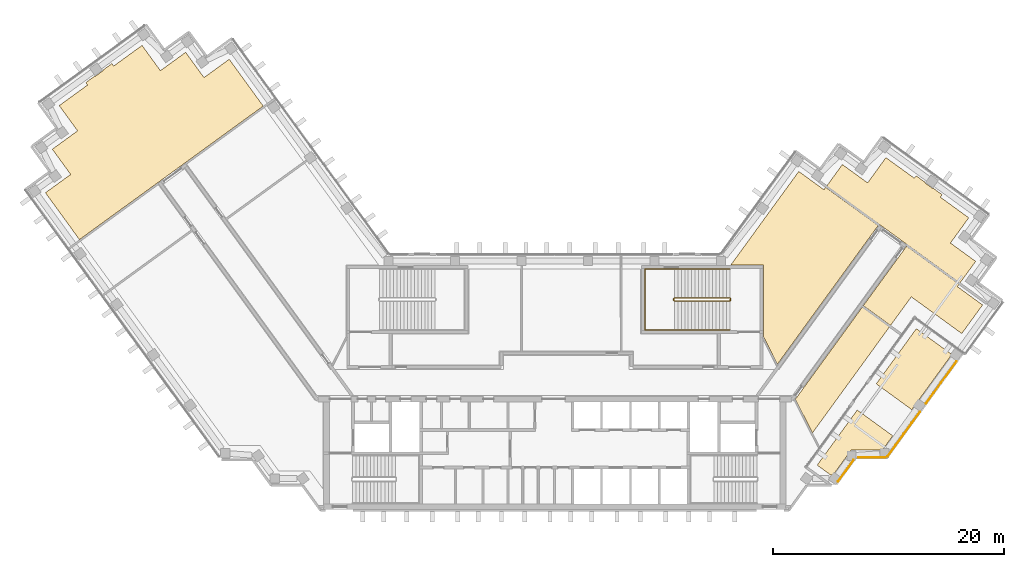
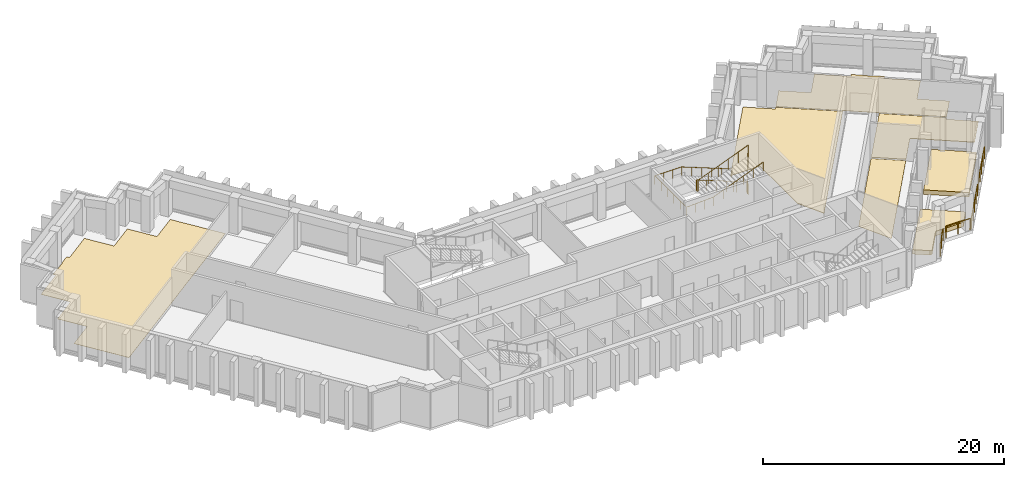
# One storey, part 10 of 10: 7 coverings, 6 railings.
"""IFC4 building model written with IfcOpenShell, lengths in metres."""

import ifcopenshell
import ifcopenshell.guid

model = None  # the IFC model being written
_history = None  # IfcOwnerHistory: only IFC2X3 demands one
_inside = {}  # id of a spatial element -> (the spatial element, [elements in it])
_under = {}  # id of a project, library or spatial element -> (it, [spatial elements below it])
_declared = {}  # id of a project -> (the project, [libraries it declares])
_typed = {}  # id of a type object -> (the type object, [elements of that type])
_made_of = {}  # id of a material, layer set ... -> (it, [elements and type objects made of it])


def new_model(schema):
    """Start an empty IFC model of exactly this schema.

    Asked for "IFC4X3", IfcOpenShell would pick the latest addendum, in which some entities
    have other attributes; the version numbers below select the first issue.
    IFC2X3 requires an IfcOwnerHistory on every rooted entity: one is made here for all.
    """
    global model, _history
    if schema == "IFC4X3":
        model = ifcopenshell.file(schema_version=(4, 3, 0, 0))
    else:
        model = ifcopenshell.file(schema=schema)
    _inside.clear()
    _under.clear()
    _declared.clear()
    _typed.clear()
    _made_of.clear()
    _history = None
    if model.schema == "IFC2X3":
        org = make("IfcOrganization", Name="unknown")
        user = make(
            "IfcPersonAndOrganization",
            ThePerson=make("IfcPerson", FamilyName="unknown"),
            TheOrganization=org,
        )
        app = make(
            "IfcApplication",
            ApplicationDeveloper=org,
            Version="unknown",
            ApplicationFullName="unknown",
            ApplicationIdentifier="unknown",
        )
        _history = make(
            "IfcOwnerHistory",
            OwningUser=user,
            OwningApplication=app,
            ChangeAction="ADDED",
            CreationDate=0,
        )
    return model


def make(cls, **values):
    """One entity of the class cls with the attributes given. An attribute that is None is left unset."""
    return model.create_entity(
        cls, **{name: value for name, value in values.items() if value is not None}
    )


def rooted(cls, **values):
    """An entity with a GlobalId (a new one), such as an element, a storey or a relation."""
    return make(cls, GlobalId=ifcopenshell.guid.new(), OwnerHistory=_history, **values)


def si_unit(unit_type, name, prefix=None):
    """IfcSIUnit, for example si_unit("LENGTHUNIT", "METRE", prefix="MILLI")."""
    return make("IfcSIUnit", UnitType=unit_type, Prefix=prefix, Name=name)


def assignment(units):
    """IfcUnitAssignment: the units of a project."""
    return None if units is None else make("IfcUnitAssignment", Units=units)


def point(xyz):
    """IfcCartesianPoint."""
    return None if xyz is None else make("IfcCartesianPoint", Coordinates=xyz)


def direction(xyz):
    """IfcDirection."""
    return None if xyz is None else make("IfcDirection", DirectionRatios=xyz)


def frame(location, z_axis=None, x_axis=None):
    """IfcAxis2Placement3D, a coordinate frame: its origin and axes. An axis left out is left unset."""
    return make(
        "IfcAxis2Placement3D",
        Location=point(location),
        Axis=direction(z_axis),
        RefDirection=direction(x_axis),
    )


def frame_2d(location, x_axis=None):
    """IfcAxis2Placement2D, a coordinate frame in the plane: its origin and x axis."""
    return make(
        "IfcAxis2Placement2D", Location=point(location), RefDirection=direction(x_axis)
    )


def origin():
    """The frame at (0, 0, 0) with its axes left unset."""
    return frame((0.0, 0.0, 0.0))


def origin_2d():
    """The frame at (0, 0) in the plane with its x axis left unset."""
    return frame_2d((0.0, 0.0))


def place(relative_to, where):
    """IfcLocalPlacement: puts the frame where relative to a parent placement (None: the world)."""
    return make(
        "IfcLocalPlacement", PlacementRelTo=relative_to, RelativePlacement=where
    )


def context(
    kind, dimensions, precision=None, world=None, true_north=None, identifier=None
):
    """IfcGeometricRepresentationContext, for example the 3D "Model" context."""
    return make(
        "IfcGeometricRepresentationContext",
        ContextIdentifier=identifier,
        ContextType=kind,
        CoordinateSpaceDimension=dimensions,
        Precision=precision,
        WorldCoordinateSystem=world,
        TrueNorth=true_north,
    )


def subcontext(parent, identifier, kind, view, scale=None):
    """IfcGeometricRepresentationSubContext, for example "Body" below "Model"."""
    return make(
        "IfcGeometricRepresentationSubContext",
        ContextIdentifier=identifier,
        ContextType=kind,
        ParentContext=parent,
        TargetScale=scale,
        TargetView=view,
    )


def project(units=None, contexts=None):
    """IfcProject with its units and contexts."""
    return rooted(
        "IfcProject",
        Name="project",
        RepresentationContexts=contexts,
        UnitsInContext=assignment(units),
    )


def spatial(cls, under=None, at=None, **own):
    """A site, building, storey or space (cls), placed at a placement, below another one or the project."""
    s = rooted(cls, ObjectPlacement=at, **own)
    if under is not None:
        _under.setdefault(under.id(), (under, []))[1].append(s)
    return s


def polyline(points):
    """IfcPolyline through the points."""
    return make("IfcPolyline", Points=[point(p) for p in points])


def profile(cls, at=None, kind="AREA", **sizes):
    """A parametric profile (cls). Its sizes go by their IFC names, for example OverallWidth=200.0."""
    return make(cls, ProfileType=kind, Position=at, **sizes)


def circle(**sizes):
    """IfcCircleProfileDef."""
    return profile("IfcCircleProfileDef", **sizes)


def outline(outer, holes=None, kind="AREA"):
    """IfcArbitraryClosedProfileDef: a profile drawn as a closed curve; with holes, ...WithVoids."""
    if holes is None:
        return make("IfcArbitraryClosedProfileDef", ProfileType=kind, OuterCurve=outer)
    return make(
        "IfcArbitraryProfileDefWithVoids",
        ProfileType=kind,
        OuterCurve=outer,
        InnerCurves=holes,
    )


def extrude(swept, where, along, depth):
    """IfcExtrudedAreaSolid: the profile swept, set in the frame where, extruded along a direction by depth."""
    return make(
        "IfcExtrudedAreaSolid",
        SweptArea=swept,
        Position=where,
        ExtrudedDirection=direction(along),
        Depth=depth,
    )


def shape(context_of_items, identifier, shape_type, items):
    """IfcShapeRepresentation: the items that make up one representation, for example the "Body"."""
    return make(
        "IfcShapeRepresentation",
        ContextOfItems=context_of_items,
        RepresentationIdentifier=identifier,
        RepresentationType=shape_type,
        Items=items,
    )


def material(Name=None, Category=None):
    """IfcMaterial."""
    return make("IfcMaterial", Name=Name, Category=Category)


def layer(
    of_material, thickness, ventilated=None, Name=None, Category=None, Priority=None
):
    """IfcMaterialLayer: one layer of a wall or slab, of a material (None: an air gap)."""
    return make(
        "IfcMaterialLayer",
        Material=of_material,
        LayerThickness=thickness,
        IsVentilated=ventilated,
        Name=Name,
        Category=Category,
        Priority=Priority,
    )


def layer_set(layers, Name=None):
    """IfcMaterialLayerSet."""
    return make("IfcMaterialLayerSet", MaterialLayers=layers, LayerSetName=Name)


def made_of(thing, what):
    """Note that an element or type object is made of a material, layer set ...; save() writes the relation."""
    if what is not None:
        _made_of.setdefault(what.id(), (what, []))[1].append(thing)
    return thing


def type_object(cls, material=None, **own):
    """A type object (cls), such as IfcWallType, which elements share."""
    return made_of(rooted(cls, **own), material)


def element(
    cls,
    number,
    at=None,
    inside=None,
    cuts=None,
    type_object=None,
    material=None,
    context=None,
    identifier="Body",
    shape_type=None,
    held_by="IfcProductDefinitionShape",
    body=None,
    shapes=None,
    **own,
):
    """One element of the class cls, such as IfcWall. Its Tag is "e" and its number.

    at: its placement. inside: the storey or other place that contains it. cuts: it is an
    opening in that element (IfcRelVoidsElement). A single representation is given by context,
    identifier, shape_type and body (its items); several are given by shapes. held_by: the class
    of the entity that holds the representations. save() writes the other relations.
    """
    e = rooted(cls, Tag="e%d" % number, ObjectPlacement=at, **own)
    if body is not None:
        shapes = [shape(context, identifier, shape_type, body)]
    if shapes is not None:
        e.Representation = make(held_by, Representations=shapes)
    if inside is not None:
        _inside.setdefault(inside.id(), (inside, []))[1].append(e)
    if cuts is not None:
        rooted(
            "IfcRelVoidsElement", RelatingBuildingElement=cuts, RelatedOpeningElement=e
        )
    if type_object is not None:
        _typed.setdefault(type_object.id(), (type_object, []))[1].append(e)
    return made_of(e, material)


def aggregate(whole, parts):
    """IfcRelAggregates: a whole, such as a stair, and the parts it consists of."""
    return rooted("IfcRelAggregates", RelatingObject=whole, RelatedObjects=parts)


def save(model, path):
    """Write the relations noted so far, then the file.

    IfcRelAggregates (storeys below a building ...), IfcRelContainedInSpatialStructure (elements
    in a storey), IfcRelDefinesByType, IfcRelAssociatesMaterial and IfcRelDeclares: one each for
    every whole, place, type object, material and project.
    """
    for whole, parts in _under.values():
        aggregate(whole, parts)
    for where, things in _inside.values():
        rooted(
            "IfcRelContainedInSpatialStructure",
            RelatedElements=things,
            RelatingStructure=where,
        )
    for kind, things in _typed.values():
        rooted("IfcRelDefinesByType", RelatedObjects=things, RelatingType=kind)
    for what, things in _made_of.values():
        rooted("IfcRelAssociatesMaterial", RelatedObjects=things, RelatingMaterial=what)
    for by, libraries in _declared.values():
        rooted("IfcRelDeclares", RelatingContext=by, RelatedDefinitions=libraries)
    model.write(path)


model = new_model("IFC4")

# Units and contexts
model_context = context("Model", 3, precision=1e-05, world=origin(), true_north=direction((0.0, 1.0)))
body_context = subcontext(model_context, "Body", "Model", "MODEL_VIEW")
ifc_project = project(units=[si_unit("LENGTHUNIT", "METRE"), si_unit("AREAUNIT", "SQUARE_METRE"), si_unit("VOLUMEUNIT", "CUBIC_METRE"), si_unit("PLANEANGLEUNIT", "RADIAN"), si_unit("MASSUNIT", "GRAM", prefix="KILO")], contexts=[model_context])

# Site, building, storey
site_placement = place(None, origin())
site = spatial("IfcSite", under=ifc_project, at=site_placement, CompositionType="ELEMENT")
building_placement = place(site_placement, origin())
building = spatial("IfcBuilding", under=site, at=building_placement, Name="Quipu Civic Tower", CompositionType="ELEMENT")
storey_placement = place(building_placement, frame((0.0, 0.0, 206.0)))
storey = spatial("IfcBuildingStorey", under=building, at=storey_placement, Name="L48", CompositionType="ELEMENT", Elevation=206.0)

# Coverings
ifc_material_1 = material(Name="Carpet tile on raised access floor")
ifc_layer_1 = layer(ifc_material_1, 0.02001953125)
ifc_layer_set_1 = layer_set([ifc_layer_1], Name="Carpet tile on raised access floor")
covering_type_1 = type_object("IfcCoveringType", Name="Carpet tile floor finish 20", PredefinedType="FLOORING", material=ifc_layer_set_1)
covering_1_placement = place(storey_placement, origin())
element("IfcCovering", 1, at=covering_1_placement, inside=storey, type_object=covering_type_1, Name="Carpet tile floor finish 20", PredefinedType="FLOORING", context=body_context, shape_type="SweptSolid", body=[
    extrude(outline(polyline([(20.821044921875, -1.4560546875), (26.6220703125, 6.529052734375), (28.97705078125, 4.819091796875), (22.303955078125, -4.365966796875), (20.821044921875, -1.4560546875)])), origin(), (0.0, 0.0, 1.0), 0.02001953125),
])
covering_2_placement = place(storey_placement, origin())
element("IfcCovering", 2, at=covering_2_placement, inside=storey, type_object=covering_type_1, Name="Carpet tile floor finish 20", PredefinedType="FLOORING", context=body_context, shape_type="SweptSolid", body=[
    extrude(outline(polyline([(23.531005859375, 16.989013671875), (24.888916015625, 18.85791015625), (27.073974609375, 17.27197265625), (28.658935546875, 19.455078125), (31.116943359375, 17.6708984375), (31.27099609375, 17.8798828125), (32.032958984375, 17.325927734375), (32.032958984375, 17.324951171875), (32.031005859375, 17.321044921875), (32.030029296875, 17.31591796875), (32.029052734375, 17.31103515625), (32.028076171875, 17.305908203125), (32.028076171875, 17.302001953125), (32.029052734375, 17.297119140625), (32.030029296875, 17.2919921875), (32.031005859375, 17.287109375), (32.032958984375, 17.282958984375), (32.035888671875, 17.278076171875), (32.0380859375, 17.27392578125), (32.041015625, 17.27099609375), (32.044921875, 17.26708984375), (32.049072265625, 17.263916015625), (32.696044921875, 16.7939453125), (32.699951171875, 16.791015625), (32.7041015625, 16.7890625), (32.708984375, 16.787109375), (32.714111328125, 16.785888671875), (32.718994140625, 16.784912109375), (32.722900390625, 16.783935546875), (32.72802734375, 16.783935546875), (32.73291015625, 16.784912109375), (32.738037109375, 16.785888671875), (32.742919921875, 16.787109375), (32.7470703125, 16.7890625), (32.751953125, 16.7919921875), (32.756103515625, 16.7939453125), (32.759033203125, 16.798095703125), (32.760009765625, 16.798095703125), (33.52197265625, 16.2451171875), (33.3701171875, 16.032958984375), (35.826904296875, 14.248046875), (34.240966796875, 12.06396484375), (36.425048828125, 10.47705078125), (35.068115234375, 8.60791015625), (23.531005859375, 16.989013671875)])), origin(), (0.0, 0.0, 1.0), 0.02001953125),
])
covering_3_placement = place(storey_placement, origin())
element("IfcCovering", 3, at=covering_3_placement, inside=storey, type_object=covering_type_1, Name="Carpet tile floor finish 20", PredefinedType="FLOORING", context=body_context, shape_type="SweptSolid", body=[
    extrude(outline(polyline([(-44.074951171875, 16.4140625), (-41.89208984375, 17.9990234375), (-43.47802734375, 20.18505859375), (-41.2939453125, 21.77294921875), (-42.881103515625, 23.95703125), (-40.424072265625, 25.740966796875), (-40.574951171875, 25.952880859375), (-39.81298828125, 26.507080078125), (-39.80908203125, 26.5029296875), (-39.804931640625, 26.5009765625), (-39.801025390625, 26.498046875), (-39.7958984375, 26.49609375), (-39.7919921875, 26.4951171875), (-39.787109375, 26.493896484375), (-39.781982421875, 26.492919921875), (-39.777099609375, 26.492919921875), (-39.77197265625, 26.493896484375), (-39.76806640625, 26.4951171875), (-39.762939453125, 26.49609375), (-39.758056640625, 26.498046875), (-39.75390625, 26.5), (-39.75, 26.5029296875), (-39.10302734375, 26.972900390625), (-39.09912109375, 26.97607421875), (-39.094970703125, 26.97998046875), (-39.092041015625, 26.98291015625), (-39.089111328125, 26.987060546875), (-39.0869140625, 26.991943359375), (-39.0849609375, 26.99609375), (-39.083984375, 27.0009765625), (-39.0830078125, 27.006103515625), (-39.08203125, 27.010986328125), (-39.08203125, 27.014892578125), (-39.08203125, 27.02001953125), (-39.0830078125, 27.02490234375), (-39.0849609375, 27.030029296875), (-39.0869140625, 27.033935546875), (-38.324951171875, 27.587890625), (-38.169921875, 27.37890625), (-35.712890625, 29.1640625), (-34.126953125, 26.97998046875), (-31.94091796875, 28.56591796875), (-30.35400390625, 26.383056640625), (-28.169921875, 27.968994140625), (-25.22607421875, 23.916015625), (-41.131103515625, 12.360107421875), (-44.074951171875, 16.4140625)])), origin(), (0.0, 0.0, 1.0), 0.02001953125),
])
ifc_material_2 = material(Name="Planting soil on drainage board")
ifc_layer_2 = layer(ifc_material_2, 0.449951171875)
ifc_layer_set_2 = layer_set([ifc_layer_2], Name="Planting soil on drainage board")
covering_type_2 = type_object("IfcCoveringType", Name="Planted terrace build-up", PredefinedType="FLOORING", material=ifc_layer_set_2)
covering_4_placement = place(storey_placement, origin())
element("IfcCovering", 4, at=covering_4_placement, inside=storey, type_object=covering_type_2, Name="Planted terrace L48 bed 1", PredefinedType="FLOORING", context=body_context, shape_type="SweptSolid", body=[
    extrude(outline(polyline([(26.177001953125, -2.38671875), (29.251220703125, -4.6201171875), (28.37109375, -5.831298828125), (25.671142578125, -5.831298828125), (24.084228515625, -8.015625), (23.88720703125, -8.015625), (22.708984375, -7.15966796875), (26.177001953125, -2.38671875)])), origin(), (0.0, 0.0, 1.0), 0.449951171875),
])
covering_5_placement = place(storey_placement, origin())
element("IfcCovering", 5, at=covering_5_placement, inside=storey, type_object=covering_type_2, Name="Planted terrace L48 bed 2", PredefinedType="FLOORING", context=body_context, shape_type="SweptSolid", body=[
    extrude(outline(polyline([(31.290771484375, 4.652099609375), (34.364990234375, 2.41845703125), (30.89697265625, -2.35498046875), (27.82275390625, -0.121337890625), (31.290771484375, 4.652099609375)])), origin(), (0.0, 0.0, 1.0), 0.449951171875),
])
ifc_material_3 = material(Name="Sealed cement screed")
ifc_layer_3 = layer(ifc_material_3, 0.050048828125)
ifc_layer_set_3 = layer_set([ifc_layer_3], Name="Sealed cement screed")
covering_type_3 = type_object("IfcCoveringType", Name="Sealed screed floor finish 50", PredefinedType="FLOORING", material=ifc_layer_set_3)
covering_6_placement = place(storey_placement, origin())
element("IfcCovering", 6, at=covering_6_placement, inside=storey, type_object=covering_type_3, Name="Sealed screed floor finish 50", PredefinedType="FLOORING", context=body_context, shape_type="SweptSolid", body=[
    extrude(outline(polyline([(15.238037109375, 10.169921875), (21.115966796875, 18.260986328125), (23.299072265625, 16.676025390625), (23.447998046875, 16.876953125), (27.987060546875, 13.5791015625), (19.27197265625, 1.583984375), (18.070068359375, 3.94189453125), (18.070068359375, 10.1689453125), (15.238037109375, 10.169921875)])), origin(), (0.0, 0.0, 1.0), 0.050048828125),
])
covering_7_placement = place(storey_placement, origin())
element("IfcCovering", 7, at=covering_7_placement, inside=storey, type_object=covering_type_3, Name="Sealed screed floor finish 50", PredefinedType="FLOORING", context=body_context, shape_type="SweptSolid", body=[
    extrude(outline(polyline([(26.705078125, 6.64306640625), (30.446044921875, 11.7919921875), (34.985107421875, 8.493896484375), (34.839111328125, 8.291015625), (37.02197265625, 6.7060546875), (35.22412109375, 4.22998046875), (30.85595703125, 7.403076171875), (29.06005859375, 4.93310546875), (26.705078125, 6.64306640625)])), origin(), (0.0, 0.0, 1.0), 0.050048828125),
])

# Railings
ifc_material_4 = material(Name="Stainless steel", Category="steel")
railing_type_1 = type_object("IfcRailingType", Name="Stair guard 1100", PredefinedType="GUARDRAIL", material=ifc_material_4)
railing_1_placement = place(storey_placement, frame((15.14990234375, 7.300048828125, 0.11767578125)))
element("IfcRailing", 8, at=railing_1_placement, inside=storey, type_object=railing_type_1, Name="Stair 4 guard", PredefinedType="GUARDRAIL", context=body_context, shape_type="SweptSolid", body=[
    extrude(circle(Radius=0.02392578125, at=origin_2d()), frame((0.0, 0.0, 1.076171875), z_axis=(-0.930970042603, 0.0, 0.365095576219), x_axis=(0.0, -1.0, 0.0)), (0.0, 0.0, 1.0), 5.15576171875),
    extrude(circle(Radius=0.02392578125, at=origin_2d()), frame((-4.7998046875, 0.0, 2.95849609375), z_axis=(-0.707106781187, -0.707106781187, 0.0), x_axis=(0.707106781187, -0.707106781187, 0.0)), (0.0, 0.0, 1.0), 0.07080078125),
    extrude(circle(Radius=0.02392578125, at=origin_2d()), frame((-4.849853515625, -0.050048828125, 2.95849609375), z_axis=(0.0, -1.0, 0.0), x_axis=(1.0, 0.0, 0.0)), (0.0, 0.0, 1.0), 0.14990234375),
    extrude(circle(Radius=0.02392578125, at=origin_2d()), frame((-4.849853515625, -0.199951171875, 2.95849609375), z_axis=(0.364463019033, -0.364463019033, 0.856932561824), x_axis=(0.707106781187, 0.707106781187, 0.0)), (0.0, 0.0, 1.0), 0.13720703125),
    extrude(circle(Radius=0.02392578125, at=origin_2d()), frame((-4.7998046875, -0.25, 3.076171875), z_axis=(0.930970042603, 0.0, 0.365095576219), x_axis=(0.0, 1.0, 0.0)), (0.0, 0.0, 1.0), 5.15576171875),
    extrude(circle(Radius=0.02392578125, at=origin_2d()), frame((0.0, -0.25, 4.95849609375), z_axis=(0.012495627992, 0.049921557685, -0.998674970829), x_axis=(-0.970072785993, 0.242814311512, 0.0)), (0.0, 0.0, 1.0), 4.00537109375),
    extrude(circle(Radius=0.02392578125, at=origin_2d()), frame((0.050048828125, -0.050048828125, 0.95849609375), z_axis=(0.0, -1.0, 0.0), x_axis=(1.0, 0.0, 0.0)), (0.0, 0.0, 1.0), 0.14990234375),
    extrude(circle(Radius=0.02099609375, at=origin_2d()), origin(), (0.0, 0.0, 1.0), 1.052001953125),
    extrude(circle(Radius=0.02099609375, at=origin_2d()), frame((-0.9599609375, 0.0, 0.37646484375)), (0.0, 0.0, 1.0), 1.052001953125),
    extrude(circle(Radius=0.02099609375, at=origin_2d()), frame((-1.919921875, 0.0, 0.7529296875)), (0.0, 0.0, 1.0), 1.052001953125),
    extrude(circle(Radius=0.02099609375, at=origin_2d()), frame((-2.8798828125, 0.0, 1.12939453125)), (0.0, 0.0, 1.0), 1.052001953125),
    extrude(circle(Radius=0.02099609375, at=origin_2d()), frame((-3.83984375, 0.0, 1.505859375)), (0.0, 0.0, 1.0), 1.052001953125),
    extrude(circle(Radius=0.02099609375, at=origin_2d()), frame((-4.7998046875, 0.0, 1.88232421875)), (0.0, 0.0, 1.0), 1.052001953125),
    extrude(circle(Radius=0.02099609375, at=origin_2d()), frame((-4.849853515625, -0.050048828125, 1.88232421875)), (0.0, 0.0, 1.0), 1.052001953125),
    extrude(circle(Radius=0.02099609375, at=origin_2d()), frame((-4.849853515625, -0.199951171875, 1.88232421875)), (0.0, 0.0, 1.0), 1.052001953125),
    extrude(circle(Radius=0.02099609375, at=origin_2d()), frame((-4.7998046875, -0.25, 2.0)), (0.0, 0.0, 1.0), 1.052001953125),
    extrude(circle(Radius=0.02099609375, at=origin_2d()), frame((-3.83984375, -0.25, 2.37646484375)), (0.0, 0.0, 1.0), 1.052001953125),
    extrude(circle(Radius=0.02099609375, at=origin_2d()), frame((-2.8798828125, -0.25, 2.7529296875)), (0.0, 0.0, 1.0), 1.052001953125),
    extrude(circle(Radius=0.02099609375, at=origin_2d()), frame((-1.919921875, -0.25, 3.12939453125)), (0.0, 0.0, 1.0), 1.052001953125),
    extrude(circle(Radius=0.02099609375, at=origin_2d()), frame((-0.9599609375, -0.25, 3.505859375)), (0.0, 0.0, 1.0), 1.052001953125),
    extrude(circle(Radius=0.02099609375, at=origin_2d()), frame((0.0, -0.25, 3.88232421875)), (0.0, 0.0, 1.0), 1.052001953125),
    extrude(circle(Radius=0.02099609375, at=origin_2d()), frame((0.012451171875, -0.199951171875, 2.88232421875)), (0.0, 0.0, 1.0), 1.052001953125),
    extrude(circle(Radius=0.02099609375, at=origin_2d()), frame((0.02490234375, -0.14990234375, 1.88232421875)), (0.0, 0.0, 1.0), 1.052001953125),
    extrude(circle(Radius=0.02099609375, at=origin_2d()), frame((0.03759765625, -0.10009765625, 0.88232421875)), (0.0, 0.0, 1.0), 1.052001953125),
    extrude(circle(Radius=0.02099609375, at=origin_2d()), frame((0.050048828125, -0.050048828125, -0.11767578125)), (0.0, 0.0, 1.0), 1.052001953125),
    extrude(circle(Radius=0.02099609375, at=origin_2d()), frame((0.050048828125, -0.199951171875, -0.11767578125)), (0.0, 0.0, 1.0), 1.052001953125),
])
ifc_material_5 = material(Name="Stainless steel", Category="steel")
railing_type_2 = type_object("IfcRailingType", Name="Stair handrail", PredefinedType="HANDRAIL", material=ifc_material_5)
railing_2_placement = place(storey_placement, frame((15.14990234375, 9.800048828125, 0.11767578125)))
element("IfcRailing", 9, at=railing_2_placement, inside=storey, type_object=railing_type_2, Name="Stair 4 handrail", PredefinedType="HANDRAIL", context=body_context, shape_type="SweptSolid", body=[
    extrude(circle(Radius=0.02392578125, at=origin_2d()), frame((0.0, 0.0, 0.8759765625), z_axis=(-0.930970042603, 0.0, 0.365095576219), x_axis=(0.0, -1.0, 0.0)), (0.0, 0.0, 1.0), 5.15576171875),
    extrude(circle(Radius=0.02392578125, at=origin_2d()), frame((-4.7998046875, 0.0, 2.75830078125), z_axis=(-1.0, 0.0, 0.0), x_axis=(0.0, -1.0, 0.0)), (0.0, 0.0, 1.0), 2.550048828125),
    extrude(circle(Radius=0.02392578125, at=origin_2d()), frame((-7.349853515625, 0.0, 2.75830078125), z_axis=(0.0, -1.0, 0.0), x_axis=(1.0, 0.0, 0.0)), (0.0, 0.0, 1.0), 5.25),
    extrude(circle(Radius=0.02392578125, at=origin_2d()), frame((-7.349853515625, -5.25, 2.75830078125), z_axis=(0.998936948642, 0.0, 0.04609742549), x_axis=(0.0, 1.0, 0.0)), (0.0, 0.0, 1.0), 2.552734375),
    extrude(circle(Radius=0.02392578125, at=origin_2d()), frame((-4.7998046875, -5.25, 2.8759765625), z_axis=(0.930970042603, 0.0, 0.365095576219), x_axis=(0.0, 1.0, 0.0)), (0.0, 0.0, 1.0), 5.15576171875),
    extrude(circle(Radius=0.02099609375, at=origin_2d()), origin(), (0.0, 0.0, 1.0), 0.851806640625),
    extrude(circle(Radius=0.02099609375, at=origin_2d()), frame((-0.9599609375, 0.0, 0.37646484375)), (0.0, 0.0, 1.0), 0.851806640625),
    extrude(circle(Radius=0.02099609375, at=origin_2d()), frame((-1.919921875, 0.0, 0.7529296875)), (0.0, 0.0, 1.0), 0.851806640625),
    extrude(circle(Radius=0.02099609375, at=origin_2d()), frame((-2.8798828125, 0.0, 1.12939453125)), (0.0, 0.0, 1.0), 0.851806640625),
    extrude(circle(Radius=0.02099609375, at=origin_2d()), frame((-3.83984375, 0.0, 1.505859375)), (0.0, 0.0, 1.0), 0.851806640625),
    extrude(circle(Radius=0.02099609375, at=origin_2d()), frame((-4.7998046875, 0.0, 1.88232421875)), (0.0, 0.0, 1.0), 0.851806640625),
    extrude(circle(Radius=0.02099609375, at=origin_2d()), frame((-5.64990234375, 0.0, 1.88232421875)), (0.0, 0.0, 1.0), 0.851806640625),
    extrude(circle(Radius=0.02099609375, at=origin_2d()), frame((-6.499755859375, 0.0, 1.88232421875)), (0.0, 0.0, 1.0), 0.851806640625),
    extrude(circle(Radius=0.02099609375, at=origin_2d()), frame((-7.349853515625, 0.0, 1.88232421875)), (0.0, 0.0, 1.0), 0.851806640625),
    extrude(circle(Radius=0.02099609375, at=origin_2d()), frame((-7.349853515625, -1.050048828125, 1.88232421875)), (0.0, 0.0, 1.0), 0.851806640625),
    extrude(circle(Radius=0.02099609375, at=origin_2d()), frame((-7.349853515625, -2.10009765625, 1.88232421875)), (0.0, 0.0, 1.0), 0.851806640625),
    extrude(circle(Radius=0.02099609375, at=origin_2d()), frame((-7.349853515625, -3.14990234375, 1.88232421875)), (0.0, 0.0, 1.0), 0.851806640625),
    extrude(circle(Radius=0.02099609375, at=origin_2d()), frame((-7.349853515625, -4.199951171875, 1.88232421875)), (0.0, 0.0, 1.0), 0.851806640625),
    extrude(circle(Radius=0.02099609375, at=origin_2d()), frame((-7.349853515625, -5.25, 1.88232421875)), (0.0, 0.0, 1.0), 0.851806640625),
    extrude(circle(Radius=0.02099609375, at=origin_2d()), frame((-6.499755859375, -5.25, 1.921630859375)), (0.0, 0.0, 1.0), 0.851806640625),
    extrude(circle(Radius=0.02099609375, at=origin_2d()), frame((-5.64990234375, -5.25, 1.960693359375)), (0.0, 0.0, 1.0), 0.851806640625),
    extrude(circle(Radius=0.02099609375, at=origin_2d()), frame((-4.7998046875, -5.25, 2.0)), (0.0, 0.0, 1.0), 0.851806640625),
    extrude(circle(Radius=0.02099609375, at=origin_2d()), frame((-3.83984375, -5.25, 2.37646484375)), (0.0, 0.0, 1.0), 0.851806640625),
    extrude(circle(Radius=0.02099609375, at=origin_2d()), frame((-2.8798828125, -5.25, 2.7529296875)), (0.0, 0.0, 1.0), 0.851806640625),
    extrude(circle(Radius=0.02099609375, at=origin_2d()), frame((-1.919921875, -5.25, 3.12939453125)), (0.0, 0.0, 1.0), 0.851806640625),
    extrude(circle(Radius=0.02099609375, at=origin_2d()), frame((-0.9599609375, -5.25, 3.505859375)), (0.0, 0.0, 1.0), 0.851806640625),
    extrude(circle(Radius=0.02099609375, at=origin_2d()), frame((0.0, -5.25, 3.88232421875)), (0.0, 0.0, 1.0), 0.851806640625),
])
ifc_material_6 = material(Name="Steel S275", Category="steel")
railing_type_3 = type_object("IfcRailingType", Name="Terrace guard G1", PredefinedType="GUARDRAIL", material=ifc_material_6)
railing_3_placement = place(storey_placement, frame((24.51220703125, -8.583251953125, 0.0)))
element("IfcRailing", 10, at=railing_3_placement, inside=storey, type_object=railing_type_3, Name="Terrace guard L48.1", PredefinedType="GUARDRAIL", context=body_context, shape_type="SweptSolid", body=[
    extrude(circle(Radius=0.02490234375, at=origin_2d()), frame((0.0, 0.0, 1.1748046875), z_axis=(0.587856073225, 0.808965535219, 0.0), x_axis=(-0.808965535219, 0.587856073225, 0.0)), (0.0, 0.0, 1.0), 2.300048828125),
    extrude(circle(Radius=0.02490234375, at=origin_2d()), origin(), (0.0, 0.0, 1.0), 1.14990234375),
    extrude(circle(Radius=0.02490234375, at=origin_2d()), frame((0.676025390625, 0.93017578125, 0.0)), (0.0, 0.0, 1.0), 1.14990234375),
    extrude(circle(Radius=0.02490234375, at=origin_2d()), frame((1.35205078125, 1.860595703125, 0.0)), (0.0, 0.0, 1.0), 1.14990234375),
])
railing_4_placement = place(storey_placement, frame((26.27880859375, -6.51123046875, 0.0)))
element("IfcRailing", 11, at=railing_4_placement, inside=storey, type_object=railing_type_3, Name="Terrace guard L48.2", PredefinedType="GUARDRAIL", context=body_context, shape_type="SweptSolid", body=[
    extrude(circle(Radius=0.02490234375, at=origin_2d()), frame((0.0, 0.0, 1.1748046875), z_axis=(1.0, 0.0, 0.0), x_axis=(0.0, 1.0, 0.0)), (0.0, 0.0, 1.0), 2.300048828125),
    extrude(circle(Radius=0.02490234375, at=origin_2d()), origin(), (0.0, 0.0, 1.0), 1.14990234375),
    extrude(circle(Radius=0.02490234375, at=origin_2d()), frame((1.14990234375, 0.0, 0.0)), (0.0, 0.0, 1.0), 1.14990234375),
    extrude(circle(Radius=0.02490234375, at=origin_2d()), frame((2.300048828125, 0.0, 0.0)), (0.0, 0.0, 1.0), 1.14990234375),
])
railing_5_placement = place(storey_placement, frame((28.79931640625, -6.39892578125, 0.0)))
element("IfcRailing", 12, at=railing_5_placement, inside=storey, type_object=railing_type_3, Name="Terrace guard L48.3", PredefinedType="GUARDRAIL", context=body_context, shape_type="SweptSolid", body=[
    extrude(circle(Radius=0.02490234375, at=origin_2d()), frame((0.0, 0.0, 1.1748046875), z_axis=(0.58779267372, 0.80901160234, 0.0), x_axis=(-0.80901160234, 0.58779267372, 0.0)), (0.0, 0.0, 1.0), 4.75),
    extrude(circle(Radius=0.02490234375, at=origin_2d()), origin(), (0.0, 0.0, 1.0), 1.14990234375),
    extrude(circle(Radius=0.02490234375, at=origin_2d()), frame((0.697998046875, 0.960693359375, 0.0)), (0.0, 0.0, 1.0), 1.14990234375),
    extrude(circle(Radius=0.02490234375, at=origin_2d()), frame((1.39599609375, 1.92138671875, 0.0)), (0.0, 0.0, 1.0), 1.14990234375),
    extrude(circle(Radius=0.02490234375, at=origin_2d()), frame((2.093994140625, 2.882080078125, 0.0)), (0.0, 0.0, 1.0), 1.14990234375),
    extrude(circle(Radius=0.02490234375, at=origin_2d()), frame((2.7919921875, 3.8427734375, 0.0)), (0.0, 0.0, 1.0), 1.14990234375),
])
railing_6_placement = place(storey_placement, frame((32.120361328125, -1.827880859375, 0.0)))
element("IfcRailing", 13, at=railing_6_placement, inside=storey, type_object=railing_type_3, Name="Terrace guard L48.4", PredefinedType="GUARDRAIL", context=body_context, shape_type="SweptSolid", body=[
    extrude(circle(Radius=0.02490234375, at=origin_2d()), frame((0.0, 0.0, 1.1748046875), z_axis=(0.587803872688, 0.809003465539, 0.0), x_axis=(-0.809003465539, 0.587803872688, 0.0)), (0.0, 0.0, 1.0), 4.499755859375),
    extrude(circle(Radius=0.02490234375, at=origin_2d()), origin(), (0.0, 0.0, 1.0), 1.14990234375),
    extrude(circle(Radius=0.02490234375, at=origin_2d()), frame((0.6611328125, 0.91015625, 0.0)), (0.0, 0.0, 1.0), 1.14990234375),
    extrude(circle(Radius=0.02490234375, at=origin_2d()), frame((1.322509765625, 1.8203125, 0.0)), (0.0, 0.0, 1.0), 1.14990234375),
    extrude(circle(Radius=0.02490234375, at=origin_2d()), frame((1.98388671875, 2.730224609375, 0.0)), (0.0, 0.0, 1.0), 1.14990234375),
    extrude(circle(Radius=0.02490234375, at=origin_2d()), frame((2.64501953125, 3.640380859375, 0.0)), (0.0, 0.0, 1.0), 1.14990234375),
])

save(model, "model.ifc")
